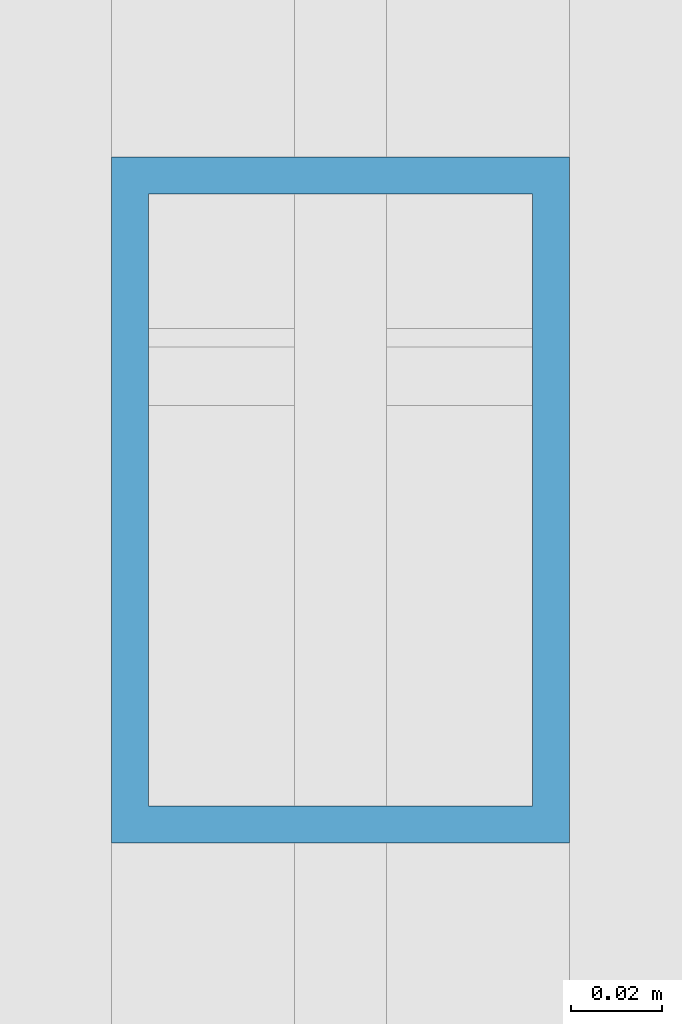
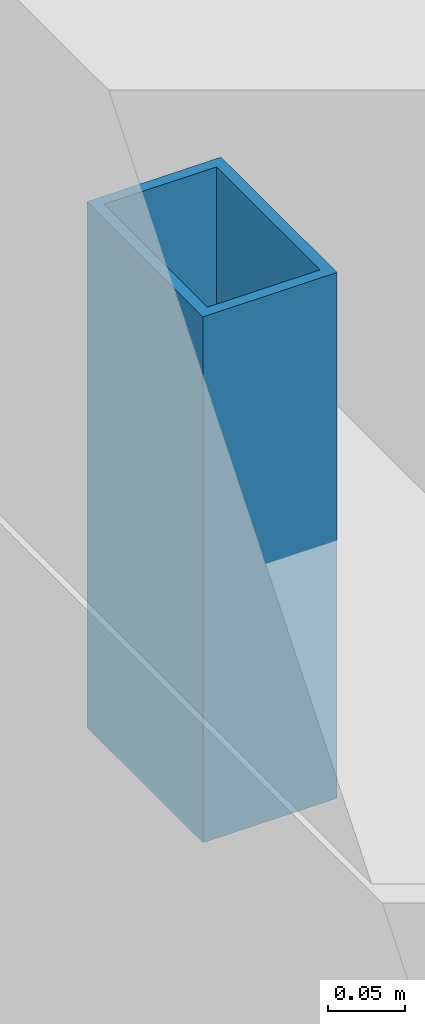
# One storey, part 58 of 138: 1 member.
"""IFC4 building model written with IfcOpenShell, lengths in metres."""

import ifcopenshell
import ifcopenshell.guid

model = None  # the IFC model being written
_history = None  # IfcOwnerHistory: only IFC2X3 demands one
_inside = {}  # id of a spatial element -> (the spatial element, [elements in it])
_under = {}  # id of a project, library or spatial element -> (it, [spatial elements below it])
_declared = {}  # id of a project -> (the project, [libraries it declares])
_typed = {}  # id of a type object -> (the type object, [elements of that type])
_made_of = {}  # id of a material, layer set ... -> (it, [elements and type objects made of it])


def new_model(schema):
    """Start an empty IFC model of exactly this schema.

    Asked for "IFC4X3", IfcOpenShell would pick the latest addendum, in which some entities
    have other attributes; the version numbers below select the first issue.
    IFC2X3 requires an IfcOwnerHistory on every rooted entity: one is made here for all.
    """
    global model, _history
    if schema == "IFC4X3":
        model = ifcopenshell.file(schema_version=(4, 3, 0, 0))
    else:
        model = ifcopenshell.file(schema=schema)
    _inside.clear()
    _under.clear()
    _declared.clear()
    _typed.clear()
    _made_of.clear()
    _history = None
    if model.schema == "IFC2X3":
        org = make("IfcOrganization", Name="unknown")
        user = make(
            "IfcPersonAndOrganization",
            ThePerson=make("IfcPerson", FamilyName="unknown"),
            TheOrganization=org,
        )
        app = make(
            "IfcApplication",
            ApplicationDeveloper=org,
            Version="unknown",
            ApplicationFullName="unknown",
            ApplicationIdentifier="unknown",
        )
        _history = make(
            "IfcOwnerHistory",
            OwningUser=user,
            OwningApplication=app,
            ChangeAction="ADDED",
            CreationDate=0,
        )
    return model


def make(cls, **values):
    """One entity of the class cls with the attributes given. An attribute that is None is left unset."""
    return model.create_entity(
        cls, **{name: value for name, value in values.items() if value is not None}
    )


def rooted(cls, **values):
    """An entity with a GlobalId (a new one), such as an element, a storey or a relation."""
    return make(cls, GlobalId=ifcopenshell.guid.new(), OwnerHistory=_history, **values)


def si_unit(unit_type, name, prefix=None):
    """IfcSIUnit, for example si_unit("LENGTHUNIT", "METRE", prefix="MILLI")."""
    return make("IfcSIUnit", UnitType=unit_type, Prefix=prefix, Name=name)


def assignment(units):
    """IfcUnitAssignment: the units of a project."""
    return None if units is None else make("IfcUnitAssignment", Units=units)


def point(xyz):
    """IfcCartesianPoint."""
    return None if xyz is None else make("IfcCartesianPoint", Coordinates=xyz)


def direction(xyz):
    """IfcDirection."""
    return None if xyz is None else make("IfcDirection", DirectionRatios=xyz)


def frame(location, z_axis=None, x_axis=None):
    """IfcAxis2Placement3D, a coordinate frame: its origin and axes. An axis left out is left unset."""
    return make(
        "IfcAxis2Placement3D",
        Location=point(location),
        Axis=direction(z_axis),
        RefDirection=direction(x_axis),
    )


def frame_2d(location, x_axis=None):
    """IfcAxis2Placement2D, a coordinate frame in the plane: its origin and x axis."""
    return make(
        "IfcAxis2Placement2D", Location=point(location), RefDirection=direction(x_axis)
    )


def origin():
    """The frame at (0, 0, 0) with its axes left unset."""
    return frame((0.0, 0.0, 0.0))


def origin_2d():
    """The frame at (0, 0) in the plane with its x axis left unset."""
    return frame_2d((0.0, 0.0))


def place(relative_to, where):
    """IfcLocalPlacement: puts the frame where relative to a parent placement (None: the world)."""
    return make(
        "IfcLocalPlacement", PlacementRelTo=relative_to, RelativePlacement=where
    )


def context(
    kind, dimensions, precision=None, world=None, true_north=None, identifier=None
):
    """IfcGeometricRepresentationContext, for example the 3D "Model" context."""
    return make(
        "IfcGeometricRepresentationContext",
        ContextIdentifier=identifier,
        ContextType=kind,
        CoordinateSpaceDimension=dimensions,
        Precision=precision,
        WorldCoordinateSystem=world,
        TrueNorth=true_north,
    )


def subcontext(parent, identifier, kind, view, scale=None):
    """IfcGeometricRepresentationSubContext, for example "Body" below "Model"."""
    return make(
        "IfcGeometricRepresentationSubContext",
        ContextIdentifier=identifier,
        ContextType=kind,
        ParentContext=parent,
        TargetScale=scale,
        TargetView=view,
    )


def project(units=None, contexts=None):
    """IfcProject with its units and contexts."""
    return rooted(
        "IfcProject",
        Name="project",
        RepresentationContexts=contexts,
        UnitsInContext=assignment(units),
    )


def spatial(cls, under=None, at=None, **own):
    """A site, building, storey or space (cls), placed at a placement, below another one or the project."""
    s = rooted(cls, ObjectPlacement=at, **own)
    if under is not None:
        _under.setdefault(under.id(), (under, []))[1].append(s)
    return s


def profile(cls, at=None, kind="AREA", **sizes):
    """A parametric profile (cls). Its sizes go by their IFC names, for example OverallWidth=200.0."""
    return make(cls, ProfileType=kind, Position=at, **sizes)


def hollow_rectangle(**sizes):
    """IfcRectangleHollowProfileDef."""
    return profile("IfcRectangleHollowProfileDef", **sizes)


def extrude(swept, where, along, depth):
    """IfcExtrudedAreaSolid: the profile swept, set in the frame where, extruded along a direction by depth."""
    return make(
        "IfcExtrudedAreaSolid",
        SweptArea=swept,
        Position=where,
        ExtrudedDirection=direction(along),
        Depth=depth,
    )


def shape(context_of_items, identifier, shape_type, items):
    """IfcShapeRepresentation: the items that make up one representation, for example the "Body"."""
    return make(
        "IfcShapeRepresentation",
        ContextOfItems=context_of_items,
        RepresentationIdentifier=identifier,
        RepresentationType=shape_type,
        Items=items,
    )


def material(Name=None, Category=None):
    """IfcMaterial."""
    return make("IfcMaterial", Name=Name, Category=Category)


def material_profile(
    of_material, cross_section, Name=None, Category=None, Priority=None
):
    """IfcMaterialProfile: a cross section and its material."""
    return make(
        "IfcMaterialProfile",
        Name=Name,
        Material=of_material,
        Profile=cross_section,
        Priority=Priority,
        Category=Category,
    )


def profile_set(profiles, Name=None, composite=None):
    """IfcMaterialProfileSet."""
    return make(
        "IfcMaterialProfileSet",
        Name=Name,
        MaterialProfiles=profiles,
        CompositeProfile=composite,
    )


def made_of(thing, what):
    """Note that an element or type object is made of a material, layer set ...; save() writes the relation."""
    if what is not None:
        _made_of.setdefault(what.id(), (what, []))[1].append(thing)
    return thing


def type_object(cls, material=None, **own):
    """A type object (cls), such as IfcWallType, which elements share."""
    return made_of(rooted(cls, **own), material)


def element(
    cls,
    number,
    at=None,
    inside=None,
    cuts=None,
    type_object=None,
    material=None,
    context=None,
    identifier="Body",
    shape_type=None,
    held_by="IfcProductDefinitionShape",
    body=None,
    shapes=None,
    **own,
):
    """One element of the class cls, such as IfcWall. Its Tag is "e" and its number.

    at: its placement. inside: the storey or other place that contains it. cuts: it is an
    opening in that element (IfcRelVoidsElement). A single representation is given by context,
    identifier, shape_type and body (its items); several are given by shapes. held_by: the class
    of the entity that holds the representations. save() writes the other relations.
    """
    e = rooted(cls, Tag="e%d" % number, ObjectPlacement=at, **own)
    if body is not None:
        shapes = [shape(context, identifier, shape_type, body)]
    if shapes is not None:
        e.Representation = make(held_by, Representations=shapes)
    if inside is not None:
        _inside.setdefault(inside.id(), (inside, []))[1].append(e)
    if cuts is not None:
        rooted(
            "IfcRelVoidsElement", RelatingBuildingElement=cuts, RelatedOpeningElement=e
        )
    if type_object is not None:
        _typed.setdefault(type_object.id(), (type_object, []))[1].append(e)
    return made_of(e, material)


def aggregate(whole, parts):
    """IfcRelAggregates: a whole, such as a stair, and the parts it consists of."""
    return rooted("IfcRelAggregates", RelatingObject=whole, RelatedObjects=parts)


def save(model, path):
    """Write the relations noted so far, then the file.

    IfcRelAggregates (storeys below a building ...), IfcRelContainedInSpatialStructure (elements
    in a storey), IfcRelDefinesByType, IfcRelAssociatesMaterial and IfcRelDeclares: one each for
    every whole, place, type object, material and project.
    """
    for whole, parts in _under.values():
        aggregate(whole, parts)
    for where, things in _inside.values():
        rooted(
            "IfcRelContainedInSpatialStructure",
            RelatedElements=things,
            RelatingStructure=where,
        )
    for kind, things in _typed.values():
        rooted("IfcRelDefinesByType", RelatedObjects=things, RelatingType=kind)
    for what, things in _made_of.values():
        rooted("IfcRelAssociatesMaterial", RelatedObjects=things, RelatingMaterial=what)
    for by, libraries in _declared.values():
        rooted("IfcRelDeclares", RelatingContext=by, RelatedDefinitions=libraries)
    model.write(path)


model = new_model("IFC4")

# Units and contexts
model_context = context("Model", 3, precision=1e-05, world=origin(), true_north=direction((0.0, 1.0)))
body_context = subcontext(model_context, "Body", "Model", "MODEL_VIEW")
ifc_project = project(units=[si_unit("LENGTHUNIT", "METRE"), si_unit("AREAUNIT", "SQUARE_METRE"), si_unit("VOLUMEUNIT", "CUBIC_METRE"), si_unit("PLANEANGLEUNIT", "RADIAN"), si_unit("MASSUNIT", "GRAM", prefix="KILO"), si_unit("THERMODYNAMICTEMPERATUREUNIT", "KELVIN"), si_unit("POWERUNIT", "WATT")], contexts=[model_context])

# Site, building, storey
site_placement = place(None, origin())
site = spatial("IfcSite", under=ifc_project, at=site_placement, CompositionType="ELEMENT")
building_placement = place(site_placement, origin())
building = spatial("IfcBuilding", under=site, at=building_placement, Name="Tavuni Mirador Residences", CompositionType="ELEMENT")
storey_placement = place(building_placement, origin())
storey = spatial("IfcBuildingStorey", under=building, at=storey_placement, Name="L00", CompositionType="ELEMENT", Elevation=0.0)

# Member
ifc_material = material(Name="Structural steel S355", Category="steel")
ifc_material_profile = material_profile(ifc_material, hollow_rectangle(XDim=0.10009765625, YDim=0.14990234375, WallThickness=0.008056640625, at=origin_2d()), Name="RHS 150x100x8.0", Category="steel")
ifc_profile_set = profile_set([ifc_material_profile], Name="Structural steel S355")
member_type = type_object("IfcMemberType", Name="MT-BR-RHS150", PredefinedType="BRACE", material=ifc_profile_set)
member_placement = place(storey_placement, frame((90.0, 134.652099609375, 3.615478515625), z_axis=(0.0, 0.0, 1.0), x_axis=(1.0, 0.0, 0.0)))
element("IfcMember", 1, at=member_placement, inside=storey, type_object=member_type, Name="ARCH-BLKD-W-06-V2", PredefinedType="BRACE", context=body_context, shape_type="SweptSolid", body=[
    extrude(hollow_rectangle(XDim=0.10009765625, YDim=0.14990234375, WallThickness=0.008056640625, at=origin_2d()), origin(), (0.0, 0.0, 1.0), 0.41455078125),
])

save(model, "model.ifc")
